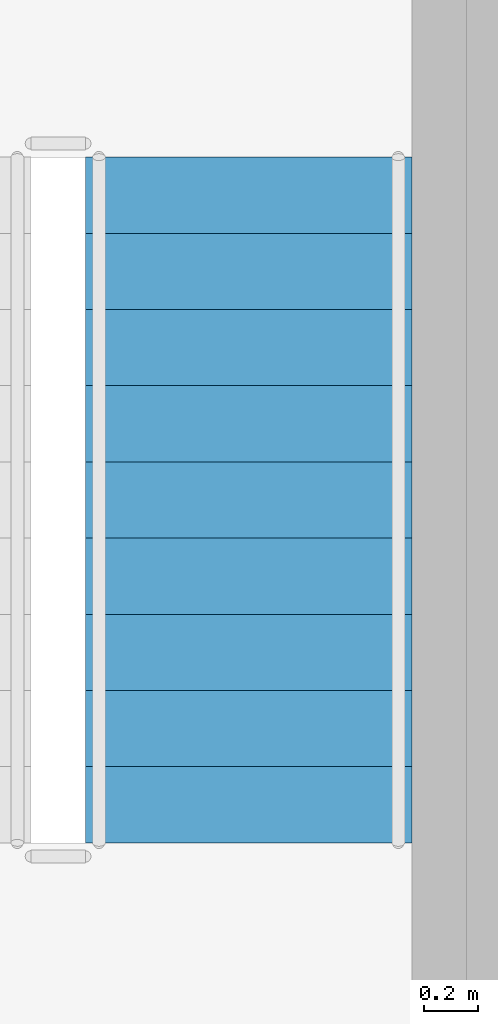
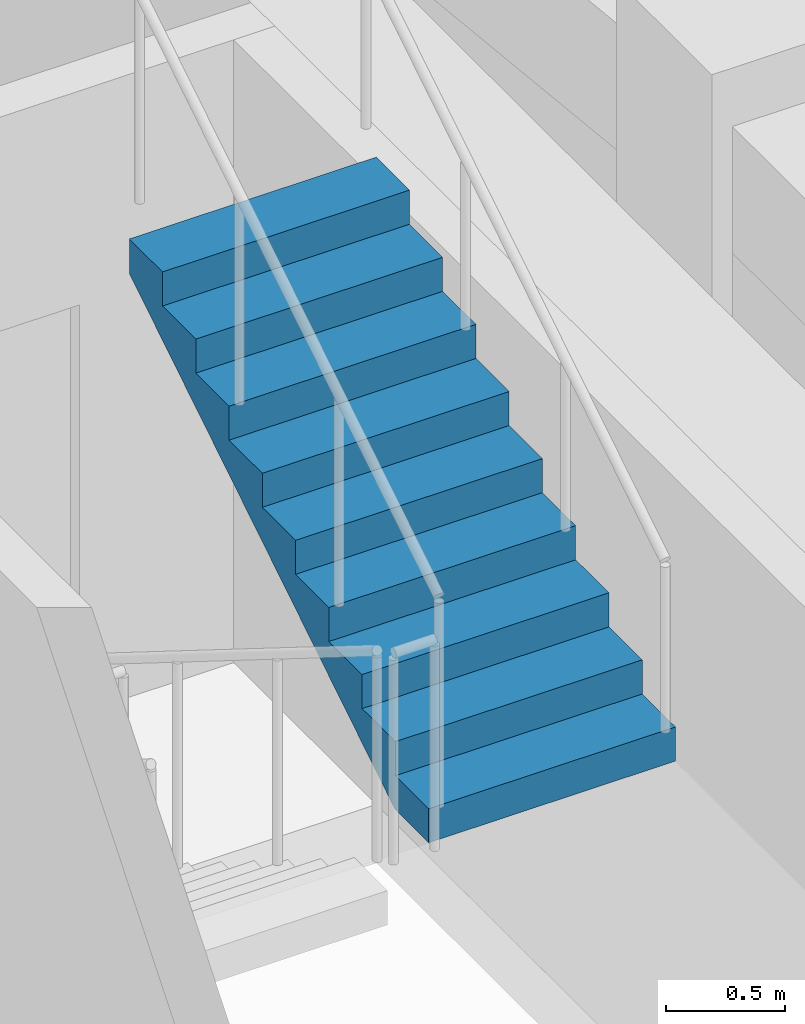
# One storey, part 9 of 16: 1 stair flight, 1 element without a shape of its own.
"""IFC4 building model written with IfcOpenShell, lengths in metres."""

from ifc_helpers import new_model, si_unit, direction, frame, origin, place, context, subcontext, project, spatial, polyline, outline, extrude, material, type_object, element, aggregate, save


model = new_model("IFC4")

# Units and contexts
model_context = context("Model", 3, precision=1e-05, world=origin(), true_north=direction((0.0, 1.0)))
body_context = subcontext(model_context, "Body", "Model", "MODEL_VIEW")
ifc_project = project(units=[si_unit("LENGTHUNIT", "METRE"), si_unit("AREAUNIT", "SQUARE_METRE"), si_unit("VOLUMEUNIT", "CUBIC_METRE"), si_unit("PLANEANGLEUNIT", "RADIAN"), si_unit("MASSUNIT", "GRAM", prefix="KILO")], contexts=[model_context])

# Site, building, storey
site_placement = place(None, origin())
site = spatial("IfcSite", under=ifc_project, at=site_placement, CompositionType="ELEMENT")
building_placement = place(site_placement, origin())
building = spatial("IfcBuilding", under=site, at=building_placement, Name="Kiln Ring Residences", CompositionType="ELEMENT")
storey_placement = place(building_placement, frame((0.0, 0.0, 245.199951171875)))
storey = spatial("IfcBuildingStorey", under=building, at=storey_placement, Name="L63", CompositionType="ELEMENT", Elevation=245.199951171875)

# Stair, stair flight
ifc_material_1 = material(Name="Concrete C40/50", Category="concrete")
stair_type = type_object("IfcStairType", Name="CORE-STAIR", PredefinedType="HALF_TURN_STAIR", material=ifc_material_1)
stair_placement = place(storey_placement, origin())
stair = element("IfcStair", 1, at=stair_placement, inside=storey, type_object=stair_type, Name="L63 stair E-STN", PredefinedType="HALF_TURN_STAIR")
ifc_material_2 = material(Name="Concrete C40/50", Category="concrete")
stair_flight_type = type_object("IfcStairFlightType", Name="CORE-STAIR-FLIGHT", PredefinedType="STRAIGHT", material=ifc_material_2)
stair_flight_placement = place(storey_placement, frame((22.800048828125, 5.8798828125, 1.75), z_axis=(0.0, 0.0, 1.0), x_axis=(0.0, 1.0, 0.0)))
stair_flight = element("IfcStairFlight", 2, at=stair_flight_placement, type_object=stair_flight_type, Name="E-STN flight 2", NumberOfRisers=10, NumberOfTreads=9, PredefinedType="STRAIGHT", RiserHeight=0.175, TreadLength=0.28, context=body_context, shape_type="SweptSolid", body=[
    extrude(outline(polyline([(0.0, 0.0), (0.0, 0.175048828125), (0.280029296875, 0.175048828125), (0.280029296875, 0.35009765625), (0.56005859375, 0.35009765625), (0.56005859375, 0.52490234375), (0.840087890625, 0.52490234375), (0.840087890625, 0.699951171875), (1.1201171875, 0.699951171875), (1.1201171875, 0.875), (1.39990234375, 0.875), (1.39990234375, 1.050048828125), (1.679931640625, 1.050048828125), (1.679931640625, 1.22509765625), (1.9599609375, 1.22509765625), (1.9599609375, 1.39990234375), (2.239990234375, 1.39990234375), (2.239990234375, 1.574951171875), (2.52001953125, 1.574951171875), (2.52001953125, 1.75), (2.52001953125, 1.398193359375), (0.28271484375, 0.0), (0.0, 0.0)])), frame((0.0, 0.60009765625, 0.0), z_axis=(0.0, -1.0, 0.0), x_axis=(1.0, 0.0, 0.0)), (0.0, 0.0, 1.0), 1.199951171875),
])
aggregate(stair, [stair_flight])

save(model, "model.ifc")
